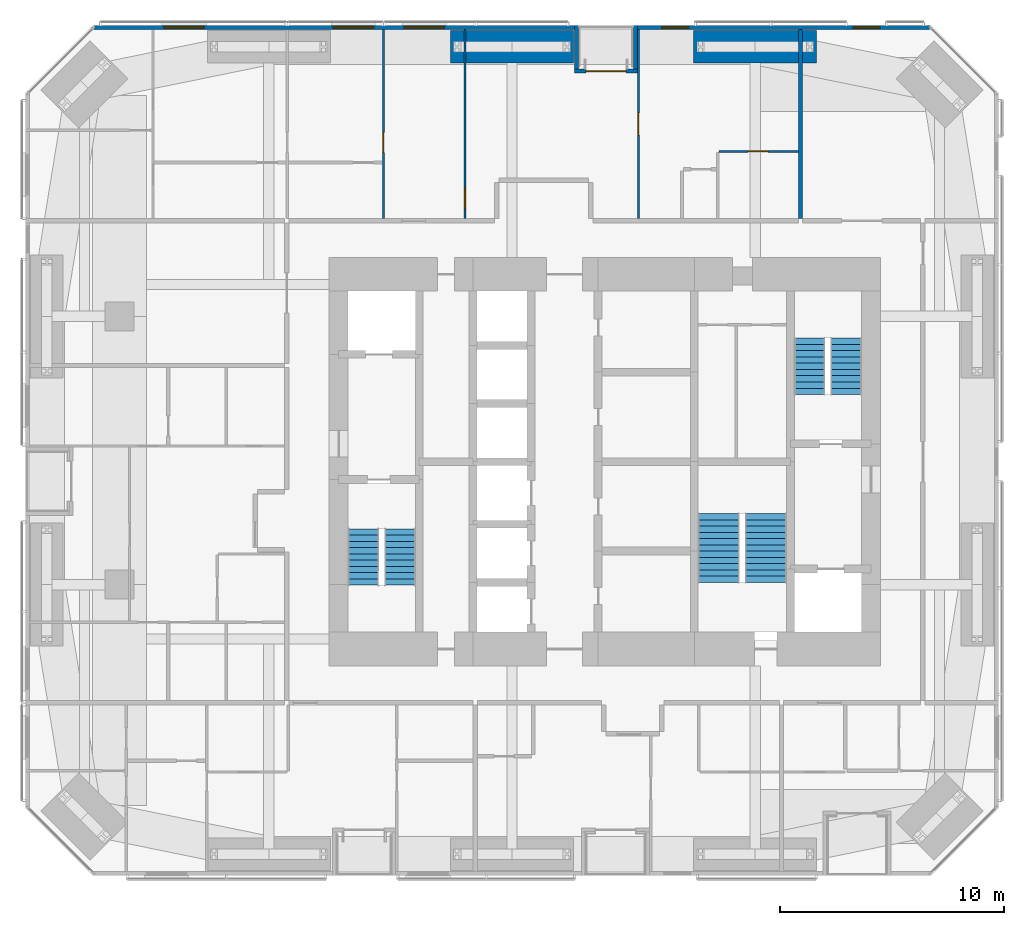
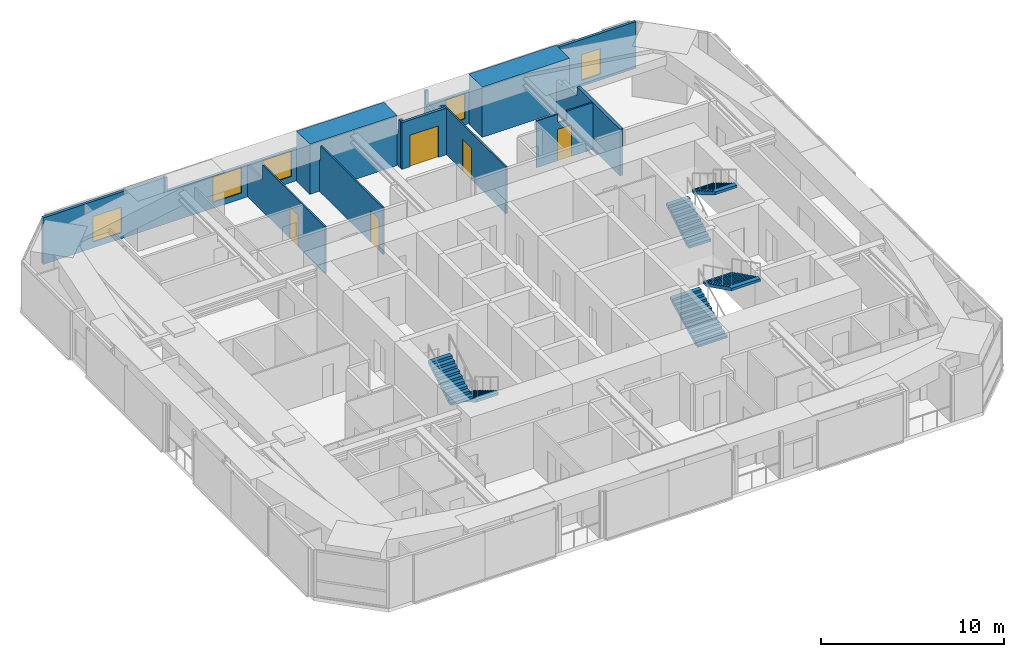
# One storey, part 22 of 23: 12 walls, 6 stair flights, 5 doors, 5 windows, 10 openings, 3 elements without a shape of their own.
"""IFC4 building model written with IfcOpenShell, lengths in metres."""

from ifc_helpers import new_model, si_unit, direction, frame, frame_2d, origin, place, context, subcontext, project, spatial, polyline, rectangle, outline, extrude, material, layer, layer_set, constituent, constituent_set, type_object, element, fill, aggregate, save


model = new_model("IFC4")

# Units and contexts
model_context = context("Model", 3, precision=1e-05, world=origin(), true_north=direction((0.0, 1.0)))
body_context = subcontext(model_context, "Body", "Model", "MODEL_VIEW")
ifc_project = project(units=[si_unit("LENGTHUNIT", "METRE"), si_unit("AREAUNIT", "SQUARE_METRE"), si_unit("VOLUMEUNIT", "CUBIC_METRE"), si_unit("PLANEANGLEUNIT", "RADIAN"), si_unit("MASSUNIT", "GRAM", prefix="KILO")], contexts=[model_context])

# Site, building, storey
site_placement = place(None, origin())
site = spatial("IfcSite", under=ifc_project, at=site_placement, CompositionType="ELEMENT")
building_placement = place(site_placement, origin())
building = spatial("IfcBuilding", under=site, at=building_placement, Name="Jalousie Tower", CompositionType="ELEMENT")
storey_placement = place(building_placement, frame((0.0, 0.0, 108.199951171875)))
storey = spatial("IfcBuildingStorey", under=building, at=storey_placement, Name="L29", CompositionType="ELEMENT", Elevation=108.199951171875)

# Wall, openings, windows
ifc_material_1 = material(Name="Concrete f'c 40 MPa", Category="concrete")
ifc_constituent_1 = constituent(ifc_material_1, Name="Body")
ifc_material_2 = material(Name="Render, pastel sea green")
ifc_constituent_2 = constituent(ifc_material_2, Name="Finish")
ifc_constituent_set_1 = constituent_set(constituents=[ifc_constituent_1, ifc_constituent_2])
wall_type_1 = type_object("IfcWallType", Name="EXTERNAL WALL 175 SEA GREEN RENDER", PredefinedType="SOLIDWALL", material=ifc_constituent_set_1)
wall_1_placement = place(storey_placement, frame((46.44873046875, 37.91259765625, 0.0), z_axis=(0.0, 0.0, 1.0), x_axis=(-1.0, 0.0, 0.0)))
wall_1 = element("IfcWall", 1, at=wall_1_placement, inside=storey, type_object=wall_type_1, Name="External Wall 175 Sea Green Render L29", PredefinedType="SOLIDWALL", context=body_context, shape_type="SweptSolid", body=[
    extrude(outline(polyline([(0.0, 0.0), (13.09814453125, 0.0), (13.09814453125, 2.150146484375), (7.82373046875, 2.150146484375), (7.82373046875, 3.110107421875), (7.66552734375, 3.110107421875), (7.66552734375, 2.150146484375), (7.620361328125, 2.150146484375), (7.620361328125, 3.110107421875), (0.0, 3.110107421875), (0.0, 0.0)])), frame((0.0, 0.08740234375, 0.0), z_axis=(0.0, -1.0, 0.0), x_axis=(1.0, 0.0, 0.0)), (0.0, 0.0, 1.0), 0.175048828125),
])
opening_1_placement = place(wall_1_placement, frame((2.24951171875, 0.0, 0.39990234375)))
opening_1 = element("IfcOpeningElement", 2, at=opening_1_placement, cuts=wall_1, Name="Opening W-COR170", PredefinedType="OPENING", context=body_context, shape_type="SweptSolid", body=[
    extrude(rectangle(XDim=1.199951171875, YDim=1.699951171875, at=frame_2d((0.60009765625, 0.85009765625))), frame((0.0, 0.097412109375, 0.0), z_axis=(0.0, -1.0, 0.0), x_axis=(1.0, 0.0, 0.0)), (0.0, 0.0, 1.0), 0.195068359375),
])
opening_2_placement = place(wall_1_placement, frame((10.798095703125, 0.0, 0.39990234375)))
opening_2 = element("IfcOpeningElement", 3, at=opening_2_placement, cuts=wall_1, Name="Opening W-COR170", PredefinedType="OPENING", context=body_context, shape_type="SweptSolid", body=[
    extrude(rectangle(XDim=1.199951171875, YDim=1.699951171875, at=frame_2d((0.60009765625, 0.85009765625))), frame((0.0, 0.097412109375, 0.0), z_axis=(0.0, -1.0, 0.0), x_axis=(1.0, 0.0, 0.0)), (0.0, 0.0, 1.0), 0.195068359375),
])
ifc_material_3 = material(Name="Aluminium frame, impact-rated glazing", Category="aluminium")
window_type_1 = type_object("IfcWindowType", Name="WINDOW COR 1200x1700", PartitioningType="SINGLE_PANEL", PredefinedType="WINDOW", material=ifc_material_3)
window_1_placement = place(opening_1_placement, origin())
window_1 = element("IfcWindow", 4, at=window_1_placement, inside=storey, type_object=window_type_1, Name="Residents' games room window", OverallHeight=1.699951171875, OverallWidth=1.199951171875, PartitioningType="SINGLE_PANEL", PredefinedType="WINDOW", context=body_context, shape_type="SweptSolid", body=[
    extrude(rectangle(XDim=1.199951171875, YDim=1.699951171875, at=frame_2d((0.60009765625, 0.85009765625))), frame((0.0, 0.030029296875, 0.0), z_axis=(0.0, -1.0, 0.0), x_axis=(1.0, 0.0, 0.0)), (0.0, 0.0, 1.0), 0.06005859375),
])
fill(opening_1, window_1)
window_2_placement = place(opening_2_placement, origin())
window_2 = element("IfcWindow", 5, at=window_2_placement, inside=storey, type_object=window_type_1, Name="Apartment 2904 dining room window", OverallHeight=1.699951171875, OverallWidth=1.199951171875, PartitioningType="SINGLE_PANEL", PredefinedType="WINDOW", context=body_context, shape_type="SweptSolid", body=[
    extrude(rectangle(XDim=1.199951171875, YDim=1.699951171875, at=frame_2d((0.60009765625, 0.85009765625))), frame((0.0, 0.030029296875, 0.0), z_axis=(0.0, -1.0, 0.0), x_axis=(1.0, 0.0, 0.0)), (0.0, 0.0, 1.0), 0.06005859375),
])
fill(opening_2, window_2)

wall_2_placement = place(storey_placement, frame((30.550537109375, 37.91259765625, 0.0), z_axis=(0.0, 0.0, 1.0), x_axis=(-1.0, 0.0, 0.0)))
wall_2 = element("IfcWall", 6, at=wall_2_placement, inside=storey, type_object=wall_type_1, Name="External Wall 175 Sea Green Render L29", PredefinedType="SOLIDWALL", context=body_context, shape_type="SweptSolid", body=[
    extrude(outline(polyline([(0.0, 0.0), (21.499267578125, 0.0), (21.499267578125, 3.110107421875), (13.87890625, 3.110107421875), (13.87890625, 2.150146484375), (13.833740234375, 2.150146484375), (13.833740234375, 3.110107421875), (13.675537109375, 3.110107421875), (13.675537109375, 2.150146484375), (0.0, 2.150146484375), (0.0, 0.0)])), frame((0.0, 0.08740234375, 0.0), z_axis=(0.0, -1.0, 0.0), x_axis=(1.0, 0.0, 0.0)), (0.0, 0.0, 1.0), 0.175048828125),
])
opening_3_placement = place(wall_2_placement, frame((5.82568359375, 0.0, 0.39990234375)))
opening_3 = element("IfcOpeningElement", 7, at=opening_3_placement, cuts=wall_2, Name="Opening W-BED170", PredefinedType="OPENING", context=body_context, shape_type="SweptSolid", body=[
    extrude(rectangle(XDim=1.800048828125, YDim=1.699951171875, at=frame_2d((0.89990234375, 0.85009765625))), frame((0.0, 0.097412109375, 0.0), z_axis=(0.0, -1.0, 0.0), x_axis=(1.0, 0.0, 0.0)), (0.0, 0.0, 1.0), 0.195068359375),
])
opening_4_placement = place(wall_2_placement, frame((8.9931640625, 0.0, 0.39990234375)))
opening_4 = element("IfcOpeningElement", 8, at=opening_4_placement, cuts=wall_2, Name="Opening W-BED170", PredefinedType="OPENING", context=body_context, shape_type="SweptSolid", body=[
    extrude(rectangle(XDim=1.800048828125, YDim=1.699951171875, at=frame_2d((0.89990234375, 0.85009765625))), frame((0.0, 0.097412109375, 0.0), z_axis=(0.0, -1.0, 0.0), x_axis=(1.0, 0.0, 0.0)), (0.0, 0.0, 1.0), 0.195068359375),
])
opening_5_placement = place(wall_2_placement, frame((16.565673828125, 0.0, 0.39990234375)))
opening_5 = element("IfcOpeningElement", 9, at=opening_5_placement, cuts=wall_2, Name="Opening W-BED170", PredefinedType="OPENING", context=body_context, shape_type="SweptSolid", body=[
    extrude(rectangle(XDim=1.800048828125, YDim=1.699951171875, at=frame_2d((0.89990234375, 0.85009765625))), frame((0.0, 0.097412109375, 0.0), z_axis=(0.0, -1.0, 0.0), x_axis=(1.0, 0.0, 0.0)), (0.0, 0.0, 1.0), 0.195068359375),
])
ifc_material_4 = material(Name="Aluminium frame, impact-rated glazing", Category="aluminium")
window_type_2 = type_object("IfcWindowType", Name="WINDOW BED 1800x1700", PartitioningType="SINGLE_PANEL", PredefinedType="WINDOW", material=ifc_material_4)
window_3_placement = place(opening_3_placement, origin())
window_3 = element("IfcWindow", 10, at=window_3_placement, inside=storey, type_object=window_type_2, Name="Apartment 2904 study window", OverallHeight=1.699951171875, OverallWidth=1.800048828125, PartitioningType="SINGLE_PANEL", PredefinedType="WINDOW", context=body_context, shape_type="SweptSolid", body=[
    extrude(rectangle(XDim=1.800048828125, YDim=1.699951171875, at=frame_2d((0.89990234375, 0.85009765625))), frame((0.0, 0.030029296875, 0.0), z_axis=(0.0, -1.0, 0.0), x_axis=(1.0, 0.0, 0.0)), (0.0, 0.0, 1.0), 0.06005859375),
])
fill(opening_3, window_3)
window_4_placement = place(opening_4_placement, origin())
window_4 = element("IfcWindow", 11, at=window_4_placement, inside=storey, type_object=window_type_2, Name="Apartment 2904 bedroom 3 window", OverallHeight=1.699951171875, OverallWidth=1.800048828125, PartitioningType="SINGLE_PANEL", PredefinedType="WINDOW", context=body_context, shape_type="SweptSolid", body=[
    extrude(rectangle(XDim=1.800048828125, YDim=1.699951171875, at=frame_2d((0.89990234375, 0.85009765625))), frame((0.0, 0.030029296875, 0.0), z_axis=(0.0, -1.0, 0.0), x_axis=(1.0, 0.0, 0.0)), (0.0, 0.0, 1.0), 0.06005859375),
])
fill(opening_4, window_4)
window_5_placement = place(opening_5_placement, origin())
window_5 = element("IfcWindow", 12, at=window_5_placement, inside=storey, type_object=window_type_2, Name="Apartment 2904 bedroom 2 window", OverallHeight=1.699951171875, OverallWidth=1.800048828125, PartitioningType="SINGLE_PANEL", PredefinedType="WINDOW", context=body_context, shape_type="SweptSolid", body=[
    extrude(rectangle(XDim=1.800048828125, YDim=1.699951171875, at=frame_2d((0.89990234375, 0.85009765625))), frame((0.0, 0.030029296875, 0.0), z_axis=(0.0, -1.0, 0.0), x_axis=(1.0, 0.0, 0.0)), (0.0, 0.0, 1.0), 0.06005859375),
])
fill(opening_5, window_5)

# Wall, opening, door
wall_3_placement = place(storey_placement, frame((33.3505859375, 35.96240234375, 0.0), z_axis=(0.0, 0.0, 1.0), x_axis=(-1.0, 0.0, 0.0)))
wall_3 = element("IfcWall", 13, at=wall_3_placement, inside=storey, type_object=wall_type_1, Name="External Wall 175 Sea Green Render L29", PredefinedType="SOLIDWALL", context=body_context, shape_type="SweptSolid", body=[
    extrude(rectangle(XDim=2.800048828125, YDim=0.175048828125, at=frame_2d((1.39990234375, 0.0))), origin(), (0.0, 0.0, 1.0), 3.110107421875),
])
opening_6_placement = place(wall_3_placement, frame((0.5, 0.0, 0.0)))
opening_6 = element("IfcOpeningElement", 14, at=opening_6_placement, cuts=wall_3, Name="Opening D-BAL21", PredefinedType="OPENING", context=body_context, shape_type="SweptSolid", body=[
    extrude(rectangle(XDim=1.800048828125, YDim=2.10009765625, at=frame_2d((0.89990234375, 1.050048828125))), frame((0.0, 0.097412109375, 0.0), z_axis=(0.0, -1.0, 0.0), x_axis=(1.0, 0.0, 0.0)), (0.0, 0.0, 1.0), 0.195068359375),
])
ifc_material_5 = material(Name="Aluminium frame, impact-rated glazing", Category="aluminium")
door_type_1 = type_object("IfcDoorType", Name="BALCONY DOOR 1800x2100", OperationType="SLIDING_TO_LEFT", PredefinedType="DOOR", material=ifc_material_5)
door_1_placement = place(opening_6_placement, origin())
door_1 = element("IfcDoor", 15, at=door_1_placement, inside=storey, type_object=door_type_1, Name="Apartment 2904 living room loggia door", OperationType="SLIDING_TO_LEFT", OverallHeight=2.10009765625, OverallWidth=1.800048828125, PredefinedType="DOOR", context=body_context, shape_type="SweptSolid", body=[
    extrude(rectangle(XDim=1.800048828125, YDim=2.10009765625, at=frame_2d((0.89990234375, 1.050048828125))), frame((0.0, 0.02490234375, 0.0), z_axis=(0.0, -1.0, 0.0), x_axis=(1.0, 0.0, 0.0)), (0.0, 0.0, 1.0), 0.050048828125),
])
fill(opening_6, door_1)

# Walls
for number, where, z_axis, x_axis, name in (
    (16, (33.26318359375, 38.0, 0.0), (0.0, 0.0, 1.0), (0.0, -1.0, 0.0), "External Wall 175 Sea Green Render L29"),
    (17, (30.63818359375, 38.0, 0.0), (0.0, 0.0, 1.0), (0.0, -1.0, 0.0), "External Wall 175 Sea Green Render L29"),
):
    element("IfcWall", number, at=place(storey_placement, frame(where, z_axis=z_axis, x_axis=x_axis)), inside=storey, type_object=wall_type_1, Name=name, PredefinedType="SOLIDWALL", context=body_context, shape_type="SweptSolid", body=[
        extrude(outline(polyline([(0.0, 0.0), (1.949951171875, 0.0), (1.949951171875, 3.110107421875), (1.75, 3.110107421875), (1.75, 2.150146484375), (0.14990234375, 2.150146484375), (0.14990234375, 3.110107421875), (0.0, 3.110107421875), (0.0, 0.0)])), frame((0.0, 0.08740234375, 0.0), z_axis=(0.0, -1.0, 0.0), x_axis=(1.0, 0.0, 0.0)), (0.0, 0.0, 1.0), 0.175048828125),
    ])

# Wall, opening, door
ifc_material_6 = material(Name="Gypsum board", Category="gypsum")
ifc_constituent_3 = constituent(ifc_material_6, Name="Body")
ifc_material_7 = material(Name="Light-gauge steel studs ASTM A653 SS Grade 33", Category="steel")
ifc_constituent_4 = constituent(ifc_material_7, Name="Framing")
ifc_constituent_set_2 = constituent_set(constituents=[ifc_constituent_3, ifc_constituent_4])
wall_type_2 = type_object("IfcWallType", Name="PARTITION 100", PredefinedType="PARTITIONING", material=ifc_constituent_set_2)
wall_4_placement = place(storey_placement, frame((22.0, 37.824951171875, 0.0), z_axis=(0.0, 0.0, 1.0), x_axis=(0.0, -1.0, 0.0)))
wall_4 = element("IfcWall", 18, at=wall_4_placement, inside=storey, type_object=wall_type_2, Name="Partition 100 L29", PredefinedType="PARTITIONING", context=body_context, shape_type="SweptSolid", body=[
    extrude(outline(polyline([(0.0, 0.0), (8.449951171875, 0.0), (8.449951171875, 3.110107421875), (1.635009765625, 3.110107421875), (1.635009765625, 2.150146484375), (0.0, 2.150146484375), (0.0, 3.110107421875), (0.0, 0.0)])), frame((0.0, 0.050048828125, 0.0), z_axis=(0.0, -1.0, 0.0), x_axis=(1.0, 0.0, 0.0)), (0.0, 0.0, 1.0), 0.10009765625),
])
opening_7_placement = place(wall_4_placement, frame((4.60009765625, 0.0, 0.0)))
opening_7 = element("IfcOpeningElement", 19, at=opening_7_placement, cuts=wall_4, Name="Opening D2", PredefinedType="OPENING", context=body_context, shape_type="SweptSolid", body=[
    extrude(rectangle(XDim=0.89990234375, YDim=2.10009765625, at=frame_2d((0.449951171875, 1.050048828125))), frame((0.0, 0.06005859375, 0.0), z_axis=(0.0, -1.0, 0.0), x_axis=(1.0, 0.0, 0.0)), (0.0, 0.0, 1.0), 0.1201171875),
])
ifc_material_8 = material(Name="Timber door", Category="wood")
door_type_2 = type_object("IfcDoorType", Name="BEDROOM DOOR 900", OperationType="SINGLE_SWING_LEFT", PredefinedType="DOOR", material=ifc_material_8)
door_2_placement = place(opening_7_placement, frame((0.89990234375, 0.0, 0.0), z_axis=(0.0, 0.0, 1.0), x_axis=(-1.0, 0.0, 0.0)))
door_2 = element("IfcDoor", 20, at=door_2_placement, inside=storey, type_object=door_type_2, Name="Apartment 2904 bedroom 3 door", OperationType="SINGLE_SWING_LEFT", OverallHeight=2.10009765625, OverallWidth=0.89990234375, PredefinedType="DOOR", context=body_context, shape_type="SweptSolid", body=[
    extrude(rectangle(XDim=0.89990234375, YDim=2.10009765625, at=frame_2d((0.449951171875, 1.050048828125))), frame((0.0, 0.02490234375, 0.0), z_axis=(0.0, -1.0, 0.0), x_axis=(1.0, 0.0, 0.0)), (0.0, 0.0, 1.0), 0.050048828125),
])
fill(opening_7, door_2)

wall_5_placement = place(storey_placement, frame((25.64990234375, 37.824951171875, 0.0), z_axis=(0.0, 0.0, 1.0), x_axis=(0.0, -1.0, 0.0)))
wall_5 = element("IfcWall", 21, at=wall_5_placement, inside=storey, type_object=wall_type_2, Name="Partition 100 L29", PredefinedType="PARTITIONING", context=body_context, shape_type="SweptSolid", body=[
    extrude(outline(polyline([(0.52880859375, 2.150146484375), (0.0, 2.150146484375), (0.0, 0.0), (0.52880859375, 0.0), (0.52880859375, 0.0341796875), (1.021240234375, 0.0341796875), (1.021240234375, 0.0), (8.449951171875, 0.0), (8.449951171875, 3.110107421875), (1.635009765625, 3.110107421875), (1.635009765625, 2.150146484375), (1.021240234375, 2.150146484375), (1.021240234375, 2.115966796875), (0.52880859375, 2.115966796875), (0.52880859375, 2.150146484375)])), frame((0.0, 0.050048828125, 0.0), z_axis=(0.0, -1.0, 0.0), x_axis=(1.0, 0.0, 0.0)), (0.0, 0.0, 1.0), 0.10009765625),
])
opening_8_placement = place(wall_5_placement, frame((7.10009765625, 0.0, 0.0)))
opening_8 = element("IfcOpeningElement", 22, at=opening_8_placement, cuts=wall_5, Name="Opening D2", PredefinedType="OPENING", context=body_context, shape_type="SweptSolid", body=[
    extrude(rectangle(XDim=0.89990234375, YDim=2.10009765625, at=frame_2d((0.449951171875, 1.050048828125))), frame((0.0, 0.06005859375, 0.0), z_axis=(0.0, -1.0, 0.0), x_axis=(1.0, 0.0, 0.0)), (0.0, 0.0, 1.0), 0.1201171875),
])
door_3_placement = place(opening_8_placement, frame((0.89990234375, 0.0, 0.0), z_axis=(0.0, 0.0, 1.0), x_axis=(-1.0, 0.0, 0.0)))
door_3 = element("IfcDoor", 23, at=door_3_placement, inside=storey, type_object=door_type_2, Name="Apartment 2904 study door", OperationType="SINGLE_SWING_LEFT", OverallHeight=2.10009765625, OverallWidth=0.89990234375, PredefinedType="DOOR", context=body_context, shape_type="SweptSolid", body=[
    extrude(rectangle(XDim=0.89990234375, YDim=2.10009765625, at=frame_2d((0.449951171875, 1.050048828125))), frame((0.0, 0.02490234375, 0.0), z_axis=(0.0, -1.0, 0.0), x_axis=(1.0, 0.0, 0.0)), (0.0, 0.0, 1.0), 0.050048828125),
])
fill(opening_8, door_3)

wall_6_placement = place(storey_placement, frame((37.0, 32.375, 0.0), z_axis=(0.0, 0.0, 1.0), x_axis=(1.0, 0.0, 0.0)))
wall_6 = element("IfcWall", 24, at=wall_6_placement, inside=storey, type_object=wall_type_2, Name="Partition 100 L29", PredefinedType="PARTITIONING", context=body_context, shape_type="SweptSolid", body=[
    extrude(outline(polyline([(0.0, 0.0), (3.550048828125, 0.0), (3.550048828125, 3.110107421875), (1.912353515625, 3.110107421875), (1.912353515625, 2.541015625), (1.337646484375, 2.541015625), (1.337646484375, 3.110107421875), (0.0, 3.110107421875), (0.0, 0.0)])), frame((0.0, 0.050048828125, 0.0), z_axis=(0.0, -1.0, 0.0), x_axis=(1.0, 0.0, 0.0)), (0.0, 0.0, 1.0), 0.10009765625),
])
opening_9_placement = place(wall_6_placement, frame((1.300048828125, 0.0, 0.0)))
opening_9 = element("IfcOpeningElement", 25, at=opening_9_placement, cuts=wall_6, Name="Opening D7", PredefinedType="OPENING", context=body_context, shape_type="SweptSolid", body=[
    extrude(rectangle(XDim=0.89990234375, YDim=2.10009765625, at=frame_2d((0.449951171875, 1.050048828125))), frame((0.0, 0.06005859375, 0.0), z_axis=(0.0, -1.0, 0.0), x_axis=(1.0, 0.0, 0.0)), (0.0, 0.0, 1.0), 0.1201171875),
])
ifc_material_9 = material(Name="Timber door", Category="wood")
door_type_3 = type_object("IfcDoorType", Name="INTERNAL DOOR 900", OperationType="SINGLE_SWING_LEFT", PredefinedType="DOOR", material=ifc_material_9)
door_4_placement = place(opening_9_placement, origin())
door_4 = element("IfcDoor", 26, at=door_4_placement, inside=storey, type_object=door_type_3, Name="Apartment 2904 kitchen door", OperationType="SINGLE_SWING_RIGHT", OverallHeight=2.10009765625, OverallWidth=0.89990234375, PredefinedType="DOOR", context=body_context, shape_type="SweptSolid", body=[
    extrude(rectangle(XDim=0.89990234375, YDim=2.10009765625, at=frame_2d((0.449951171875, 1.050048828125))), frame((0.0, 0.02490234375, 0.0), z_axis=(0.0, -1.0, 0.0), x_axis=(1.0, 0.0, 0.0)), (0.0, 0.0, 1.0), 0.050048828125),
])
fill(opening_9, door_4)

wall_7_placement = place(storey_placement, frame((33.400634765625, 37.824951171875, 0.0), z_axis=(0.0, 0.0, 1.0), x_axis=(0.0, -1.0, 0.0)))
wall_7 = element("IfcWall", 27, at=wall_7_placement, inside=storey, type_object=wall_type_2, Name="Partition 100 L29", PredefinedType="PARTITIONING", context=body_context, shape_type="SweptSolid", body=[
    extrude(outline(polyline([(0.0, 0.0), (8.449951171875, 0.0), (8.449951171875, 3.110107421875), (1.635009765625, 3.110107421875), (1.635009765625, 2.150146484375), (0.0, 2.150146484375), (0.0, 3.110107421875), (0.0, 0.0)])), frame((0.0, 0.050048828125, 0.0), z_axis=(0.0, -1.0, 0.0), x_axis=(1.0, 0.0, 0.0)), (0.0, 0.0, 1.0), 0.10009765625),
])
opening_10_placement = place(wall_7_placement, frame((3.72509765625, 0.0, 0.0)))
opening_10 = element("IfcOpeningElement", 28, at=opening_10_placement, cuts=wall_7, Name="Opening D6", PredefinedType="OPENING", context=body_context, shape_type="SweptSolid", body=[
    extrude(rectangle(XDim=1.0, YDim=2.10009765625, at=frame_2d((0.5, 1.050048828125))), frame((0.0, 0.06005859375, 0.0), z_axis=(0.0, -1.0, 0.0), x_axis=(1.0, 0.0, 0.0)), (0.0, 0.0, 1.0), 0.1201171875),
])
ifc_material_10 = material(Name="Timber door", Category="wood")
door_type_4 = type_object("IfcDoorType", Name="INTERNAL DOOR 1000", OperationType="SINGLE_SWING_LEFT", PredefinedType="DOOR", material=ifc_material_10)
door_5_placement = place(opening_10_placement, origin())
door_5 = element("IfcDoor", 29, at=door_5_placement, inside=storey, type_object=door_type_4, Name="Apartment 2904 dining room door", OperationType="SINGLE_SWING_LEFT", OverallHeight=2.10009765625, OverallWidth=1.0, PredefinedType="DOOR", context=body_context, shape_type="SweptSolid", body=[
    extrude(rectangle(XDim=1.0, YDim=2.10009765625, at=frame_2d((0.5, 1.050048828125))), frame((0.0, 0.02490234375, 0.0), z_axis=(0.0, -1.0, 0.0), x_axis=(1.0, 0.0, 0.0)), (0.0, 0.0, 1.0), 0.050048828125),
])
fill(opening_10, door_5)

# Walls
ifc_material_11 = material(Name="Concrete block ASTM C90", Category="concrete")
ifc_constituent_5 = constituent(ifc_material_11, Name="Body")
ifc_material_12 = material(Name="Render")
ifc_constituent_6 = constituent(ifc_material_12, Name="Finish")
ifc_constituent_set_3 = constituent_set(constituents=[ifc_constituent_5, ifc_constituent_6])
wall_type_3 = type_object("IfcWallType", Name="PARTY WALL 200", PredefinedType="PARTITIONING", material=ifc_constituent_set_3)
wall_8_placement = place(storey_placement, frame((40.64990234375, 37.824951171875, 0.0), z_axis=(0.0, 0.0, 1.0), x_axis=(0.0, -1.0, 0.0)))
element("IfcWall", 30, at=wall_8_placement, inside=storey, type_object=wall_type_3, Name="Party Wall 200 L29", PredefinedType="PARTITIONING", context=body_context, shape_type="SweptSolid", body=[
    extrude(outline(polyline([(0.25927734375, 3.110107421875), (0.0, 3.110107421875), (0.0, 0.0), (0.52880859375, 0.0), (0.52880859375, 0.11962890625), (1.021240234375, 0.11962890625), (1.021240234375, 0.0), (8.449951171875, 0.0), (8.449951171875, 3.110107421875), (3.766357421875, 3.110107421875), (3.766357421875, 2.510009765625), (2.11669921875, 2.510009765625), (2.11669921875, 2.150146484375), (1.021240234375, 2.150146484375), (1.021240234375, 2.0302734375), (0.52880859375, 2.0302734375), (0.52880859375, 2.150146484375), (0.25927734375, 2.150146484375), (0.25927734375, 3.110107421875)])), frame((0.0, 0.10009765625, 0.0), z_axis=(0.0, -1.0, 0.0), x_axis=(1.0, 0.0, 0.0)), (0.0, 0.0, 1.0), 0.199951171875),
])
ifc_material_13 = material(Name="Concrete f'c 120 MPa", Category="concrete")
ifc_layer = layer(ifc_material_13, 1.449951171875)
ifc_layer_set = layer_set([ifc_layer], Name="Concrete f'c 120 MPa")
wall_type_4 = type_object("IfcWallType", Name="RC WALL PIER 1450", PredefinedType="SHEAR", material=ifc_layer_set)
for number, where, z_axis, x_axis, name in (
    (31, (35.875, 37.050048828125, 0.0), (0.0, 0.0, 1.0), (1.0, 0.0, 0.0), "Wall pier 09 L29"),
    (32, (25.0, 37.050048828125, 0.0), (0.0, 0.0, 1.0), (1.0, 0.0, 0.0), "Wall pier 10 L29"),
):
    element("IfcWall", number, at=place(storey_placement, frame(where, z_axis=z_axis, x_axis=x_axis)), inside=storey, type_object=wall_type_4, Name=name, PredefinedType="SHEAR", context=body_context, shape_type="SweptSolid", body=[
        extrude(rectangle(XDim=5.5, YDim=1.449951171875, at=frame_2d((2.75, 0.0))), origin(), (0.0, 0.0, 1.0), 3.35009765625),
    ])

# Stair, stair flights
ifc_material_14 = material(Name="Concrete f'c 40 MPa", Category="concrete")
stair_type = type_object("IfcStairType", Name="EXIT STAIR", PredefinedType="HALF_TURN_STAIR", material=ifc_material_14)
stair_1_placement = place(storey_placement, origin())
stair_1 = element("IfcStair", 33, at=stair_1_placement, inside=storey, type_object=stair_type, Name="Exit stair A L29", PredefinedType="HALF_TURN_STAIR")
ifc_material_15 = material(Name="Concrete f'c 40 MPa", Category="concrete")
stair_flight_type = type_object("IfcStairFlightType", Name="STAIR FLIGHT", PredefinedType="STRAIGHT", material=ifc_material_15)
stair_flight_1_placement = place(storey_placement, frame((22.737548828125, 15.49755859375, 0.0), z_axis=(0.0, 0.0, 1.0), x_axis=(0.0, -1.0, 0.0)))
stair_flight_1 = element("IfcStairFlight", 34, at=stair_flight_1_placement, type_object=stair_flight_type, Name="ST-A flight 1", NumberOfRisers=10, NumberOfTreads=9, PredefinedType="STRAIGHT", RiserHeight=0.1675, TreadLength=0.28, context=body_context, shape_type="SweptSolid", body=[
    extrude(outline(polyline([(0.0, 0.0), (0.0, 0.16748046875), (0.280029296875, 0.16748046875), (0.280029296875, 0.3349609375), (0.56005859375, 0.3349609375), (0.56005859375, 0.50244140625), (0.840087890625, 0.50244140625), (0.840087890625, 0.669921875), (1.1201171875, 0.669921875), (1.1201171875, 0.83740234375), (1.39990234375, 0.83740234375), (1.39990234375, 1.0048828125), (1.679931640625, 1.0048828125), (1.679931640625, 1.172607421875), (1.9599609375, 1.172607421875), (1.9599609375, 1.340087890625), (2.239990234375, 1.340087890625), (2.239990234375, 1.507568359375), (2.52001953125, 1.507568359375), (2.52001953125, 1.675048828125), (2.52001953125, 1.332763671875), (0.2919921875, 0.0), (0.0, 0.0)])), frame((0.0, 0.6875, 0.0), z_axis=(0.0, -1.0, 0.0), x_axis=(1.0, 0.0, 0.0)), (0.0, 0.0, 1.0), 1.375),
])
stair_flight_2_placement = place(storey_placement, frame((21.112548828125, 12.9775390625, 1.675048828125), z_axis=(0.0, 0.0, 1.0), x_axis=(0.0, 1.0, 0.0)))
stair_flight_2 = element("IfcStairFlight", 35, at=stair_flight_2_placement, type_object=stair_flight_type, Name="ST-A flight 2", NumberOfRisers=10, NumberOfTreads=9, PredefinedType="STRAIGHT", RiserHeight=0.1675, TreadLength=0.28, context=body_context, shape_type="SweptSolid", body=[
    extrude(outline(polyline([(0.0, 0.0), (0.0, 0.16748046875), (0.280029296875, 0.16748046875), (0.280029296875, 0.3349609375), (0.56005859375, 0.3349609375), (0.56005859375, 0.50244140625), (0.840087890625, 0.50244140625), (0.840087890625, 0.669921875), (1.1201171875, 0.669921875), (1.1201171875, 0.83740234375), (1.39990234375, 0.83740234375), (1.39990234375, 1.0048828125), (1.679931640625, 1.0048828125), (1.679931640625, 1.172607421875), (1.9599609375, 1.172607421875), (1.9599609375, 1.340087890625), (2.239990234375, 1.340087890625), (2.239990234375, 1.507568359375), (2.52001953125, 1.507568359375), (2.52001953125, 1.675048828125), (2.52001953125, 1.332763671875), (0.2919921875, 0.0), (0.0, 0.0)])), frame((0.0, 0.6875, 0.0), z_axis=(0.0, -1.0, 0.0), x_axis=(1.0, 0.0, 0.0)), (0.0, 0.0, 1.0), 1.375),
])
aggregate(stair_1, [stair_flight_1, stair_flight_2])

stair_2_placement = place(storey_placement, origin())
stair_2 = element("IfcStair", 36, at=stair_2_placement, inside=storey, type_object=stair_type, Name="Exit stair B L29", PredefinedType="HALF_TURN_STAIR")
stair_flight_3_placement = place(storey_placement, frame((41.0625, 21.50244140625, 0.0), z_axis=(0.0, 0.0, 1.0), x_axis=(0.0, 1.0, 0.0)))
stair_flight_3 = element("IfcStairFlight", 37, at=stair_flight_3_placement, type_object=stair_flight_type, Name="ST-B flight 1", NumberOfRisers=10, NumberOfTreads=9, PredefinedType="STRAIGHT", RiserHeight=0.1675, TreadLength=0.28, context=body_context, shape_type="SweptSolid", body=[
    extrude(outline(polyline([(0.0, 0.0), (0.0, 0.16748046875), (0.280029296875, 0.16748046875), (0.280029296875, 0.3349609375), (0.56005859375, 0.3349609375), (0.56005859375, 0.50244140625), (0.840087890625, 0.50244140625), (0.840087890625, 0.669921875), (1.1201171875, 0.669921875), (1.1201171875, 0.83740234375), (1.39990234375, 0.83740234375), (1.39990234375, 1.0048828125), (1.679931640625, 1.0048828125), (1.679931640625, 1.172607421875), (1.9599609375, 1.172607421875), (1.9599609375, 1.340087890625), (2.239990234375, 1.340087890625), (2.239990234375, 1.507568359375), (2.52001953125, 1.507568359375), (2.52001953125, 1.675048828125), (2.52001953125, 1.332763671875), (0.2919921875, 0.0), (0.0, 0.0)])), frame((0.0, 0.6875, 0.0), z_axis=(0.0, -1.0, 0.0), x_axis=(1.0, 0.0, 0.0)), (0.0, 0.0, 1.0), 1.375),
])
stair_flight_4_placement = place(storey_placement, frame((42.6875, 24.0224609375, 1.675048828125), z_axis=(0.0, 0.0, 1.0), x_axis=(0.0, -1.0, 0.0)))
stair_flight_4 = element("IfcStairFlight", 38, at=stair_flight_4_placement, type_object=stair_flight_type, Name="ST-B flight 2", NumberOfRisers=10, NumberOfTreads=9, PredefinedType="STRAIGHT", RiserHeight=0.1675, TreadLength=0.28, context=body_context, shape_type="SweptSolid", body=[
    extrude(outline(polyline([(0.0, 0.0), (0.0, 0.16748046875), (0.280029296875, 0.16748046875), (0.280029296875, 0.3349609375), (0.56005859375, 0.3349609375), (0.56005859375, 0.50244140625), (0.840087890625, 0.50244140625), (0.840087890625, 0.669921875), (1.1201171875, 0.669921875), (1.1201171875, 0.83740234375), (1.39990234375, 0.83740234375), (1.39990234375, 1.0048828125), (1.679931640625, 1.0048828125), (1.679931640625, 1.172607421875), (1.9599609375, 1.172607421875), (1.9599609375, 1.340087890625), (2.239990234375, 1.340087890625), (2.239990234375, 1.507568359375), (2.52001953125, 1.507568359375), (2.52001953125, 1.675048828125), (2.52001953125, 1.332763671875), (0.2919921875, 0.0), (0.0, 0.0)])), frame((0.0, 0.6875, 0.0), z_axis=(0.0, -1.0, 0.0), x_axis=(1.0, 0.0, 0.0)), (0.0, 0.0, 1.0), 1.375),
])
aggregate(stair_2, [stair_flight_3, stair_flight_4])

stair_3_placement = place(storey_placement, origin())
stair_3 = element("IfcStair", 39, at=stair_3_placement, inside=storey, type_object=stair_type, Name="Exit stair C L29", PredefinedType="HALF_TURN_STAIR")
stair_flight_5_placement = place(storey_placement, frame((37.0, 13.097412109375, 0.0), z_axis=(0.0, 0.0, 1.0), x_axis=(0.0, 1.0, 0.0)))
stair_flight_5 = element("IfcStairFlight", 40, at=stair_flight_5_placement, type_object=stair_flight_type, Name="ST-C flight 1", NumberOfRisers=12, NumberOfTreads=11, PredefinedType="STRAIGHT", RiserHeight=0.139583333, TreadLength=0.28, context=body_context, shape_type="SweptSolid", body=[
    extrude(outline(polyline([(0.0, 0.0), (0.0, 0.1396484375), (0.280029296875, 0.1396484375), (0.280029296875, 0.279052734375), (0.56005859375, 0.279052734375), (0.56005859375, 0.418701171875), (0.840087890625, 0.418701171875), (0.840087890625, 0.558349609375), (1.1201171875, 0.558349609375), (1.1201171875, 0.697998046875), (1.39990234375, 0.697998046875), (1.39990234375, 0.83740234375), (1.679931640625, 0.83740234375), (1.679931640625, 0.97705078125), (1.9599609375, 0.97705078125), (1.9599609375, 1.11669921875), (2.239990234375, 1.11669921875), (2.239990234375, 1.25634765625), (2.52001953125, 1.25634765625), (2.52001953125, 1.395751953125), (2.800048828125, 1.395751953125), (2.800048828125, 1.535400390625), (3.080078125, 1.535400390625), (3.080078125, 1.675048828125), (3.080078125, 1.367919921875), (0.3359375, 0.0), (0.0, 0.0)])), frame((0.0, 0.925048828125, 0.0), z_axis=(0.0, -1.0, 0.0), x_axis=(1.0, 0.0, 0.0)), (0.0, 0.0, 1.0), 1.85009765625),
])
stair_flight_6_placement = place(storey_placement, frame((39.10009765625, 16.177490234375, 1.675048828125), z_axis=(0.0, 0.0, 1.0), x_axis=(0.0, -1.0, 0.0)))
stair_flight_6 = element("IfcStairFlight", 41, at=stair_flight_6_placement, type_object=stair_flight_type, Name="ST-C flight 2", NumberOfRisers=12, NumberOfTreads=11, PredefinedType="STRAIGHT", RiserHeight=0.139583333, TreadLength=0.28, context=body_context, shape_type="SweptSolid", body=[
    extrude(outline(polyline([(0.0, 0.0), (0.0, 0.1396484375), (0.280029296875, 0.1396484375), (0.280029296875, 0.279052734375), (0.56005859375, 0.279052734375), (0.56005859375, 0.418701171875), (0.840087890625, 0.418701171875), (0.840087890625, 0.558349609375), (1.1201171875, 0.558349609375), (1.1201171875, 0.697998046875), (1.39990234375, 0.697998046875), (1.39990234375, 0.83740234375), (1.679931640625, 0.83740234375), (1.679931640625, 0.97705078125), (1.9599609375, 0.97705078125), (1.9599609375, 1.11669921875), (2.239990234375, 1.11669921875), (2.239990234375, 1.25634765625), (2.52001953125, 1.25634765625), (2.52001953125, 1.395751953125), (2.800048828125, 1.395751953125), (2.800048828125, 1.535400390625), (3.080078125, 1.535400390625), (3.080078125, 1.675048828125), (3.080078125, 1.367919921875), (0.3359375, 0.0), (0.0, 0.0)])), frame((0.0, 0.925048828125, 0.0), z_axis=(0.0, -1.0, 0.0), x_axis=(1.0, 0.0, 0.0)), (0.0, 0.0, 1.0), 1.85009765625),
])
aggregate(stair_3, [stair_flight_5, stair_flight_6])

save(model, "model.ifc")
